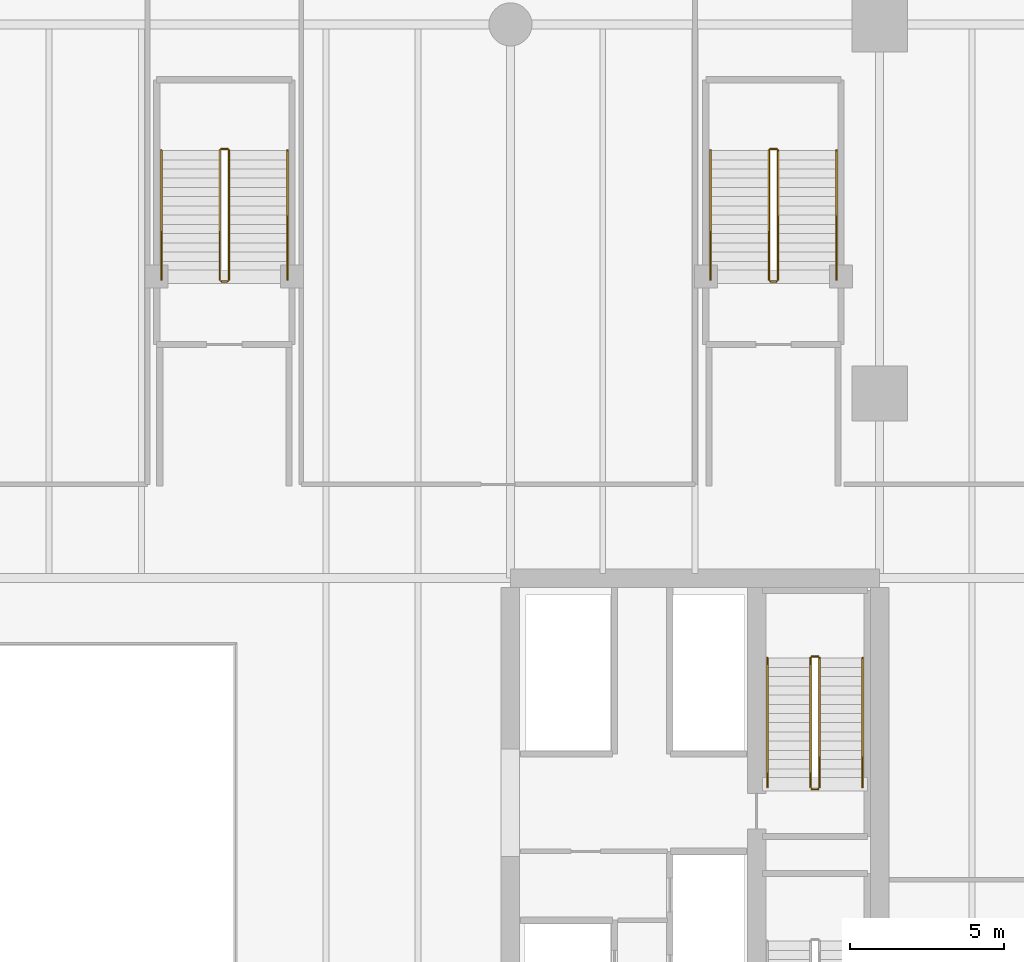
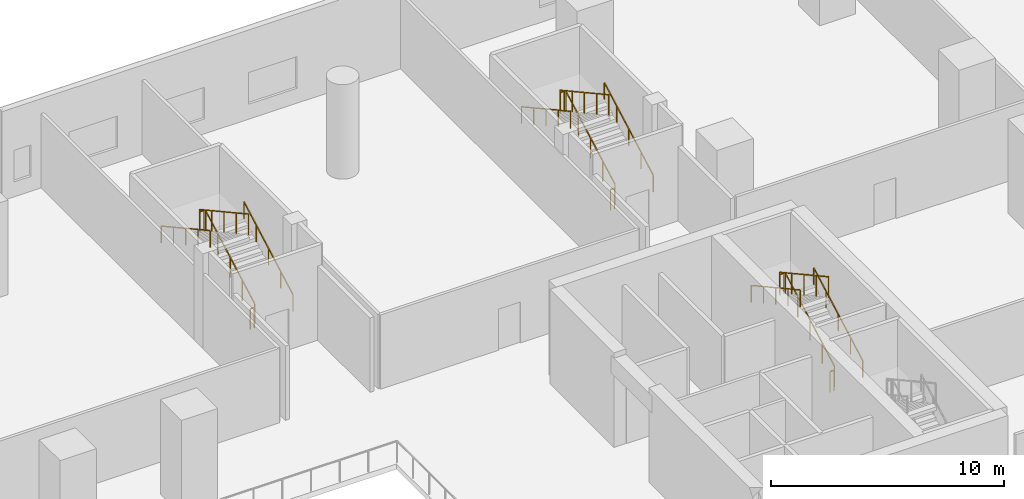
# One storey, part 23 of 24: 18 railings.
"""IFC4 building model written with IfcOpenShell, lengths in metres."""

from ifc_helpers import new_model, si_unit, direction, frame, origin, place, context, subcontext, project, spatial, rectangle, extrude, material, type_object, element, save


model = new_model("IFC4")

# Units and contexts
model_context = context("Model", 3, precision=1e-05, world=origin(), true_north=direction((0.0, 1.0)))
body_context = subcontext(model_context, "Body", "Model", "MODEL_VIEW")
ifc_project = project(units=[si_unit("LENGTHUNIT", "METRE"), si_unit("AREAUNIT", "SQUARE_METRE"), si_unit("VOLUMEUNIT", "CUBIC_METRE"), si_unit("PLANEANGLEUNIT", "RADIAN"), si_unit("MASSUNIT", "GRAM", prefix="KILO")], contexts=[model_context])

# Site, building, storey
site_placement = place(None, origin())
site = spatial("IfcSite", under=ifc_project, at=site_placement, CompositionType="ELEMENT")
building_placement = place(site_placement, origin())
building = spatial("IfcBuilding", under=site, at=building_placement, Name="Tanjung Sevakor Pilgrim Tower", CompositionType="ELEMENT")
storey_placement = place(building_placement, frame((0.0, 0.0, 4.949951171875)))
storey = spatial("IfcBuildingStorey", under=building, at=storey_placement, Name="L02", CompositionType="ELEMENT", Elevation=4.949951171875)

# Railings
ifc_material_1 = material(Name="Steel S355J2", Category="steel")
railing_type_1 = type_object("IfcRailingType", Name="RL-STAIR-GUARD", PredefinedType="GUARDRAIL", material=ifc_material_1)
railing_1_placement = place(storey_placement, frame((88.050048828125, 35.800048828125, 0.1650390625)))
element("IfcRailing", 1, at=railing_1_placement, inside=storey, type_object=railing_type_1, Name="L02 TS-E2 stair guard 1", PredefinedType="GUARDRAIL", context=body_context, shape_type="SweptSolid", body=[
    extrude(rectangle(XDim=0.0479, YDim=0.0479), frame((0.0, 0.0, 1.076171875), z_axis=(0.0, 0.876208380975, 0.481932436249), x_axis=(-1.0, 0.0, 0.0)), (0.0, 0.0, 1.0), 4.793212890625),
    extrude(rectangle(XDim=0.042, YDim=0.042), origin(), (0.0, 0.0, 1.0), 1.052001953125),
    extrude(rectangle(XDim=0.042, YDim=0.042), frame((0.0, 1.050048828125, 0.57763671875)), (0.0, 0.0, 1.0), 1.052001953125),
    extrude(rectangle(XDim=0.042, YDim=0.042), frame((0.0, 2.10009765625, 1.155029296875)), (0.0, 0.0, 1.0), 1.052001953125),
    extrude(rectangle(XDim=0.042, YDim=0.042), frame((0.0, 3.14990234375, 1.732421875)), (0.0, 0.0, 1.0), 1.052001953125),
    extrude(rectangle(XDim=0.042, YDim=0.042), frame((0.0, 4.199951171875, 2.31005859375)), (0.0, 0.0, 1.0), 1.052001953125),
])
railing_2_placement = place(storey_placement, frame((88.0, 40.050048828125, 2.47509765625)))
element("IfcRailing", 2, at=railing_2_placement, inside=storey, type_object=railing_type_1, Name="L02 TS-E2 stair guard 2", PredefinedType="GUARDRAIL", context=body_context, shape_type="SweptSolid", body=[
    extrude(rectangle(XDim=0.0479, YDim=0.0479), frame((0.0, 0.0, 1.076171875), z_axis=(-1.0, 0.0, 0.0), x_axis=(0.0, -1.0, 0.0)), (0.0, 0.0, 1.0), 0.199951171875),
    extrude(rectangle(XDim=0.042, YDim=0.042), origin(), (0.0, 0.0, 1.0), 1.052001953125),
    extrude(rectangle(XDim=0.042, YDim=0.042), frame((-0.199951171875, 0.0, 0.0)), (0.0, 0.0, 1.0), 1.052001953125),
])
railing_3_placement = place(storey_placement, frame((87.75, 40.0, 2.64013671875)))
element("IfcRailing", 3, at=railing_3_placement, inside=storey, type_object=railing_type_1, Name="L02 TS-E2 stair guard 3", PredefinedType="GUARDRAIL", context=body_context, shape_type="SweptSolid", body=[
    extrude(rectangle(XDim=0.0479, YDim=0.0479), frame((0.0, 0.0, 1.076171875), z_axis=(0.0, -0.876229888469, 0.481893331094), x_axis=(1.0, 0.0, 0.0)), (0.0, 0.0, 1.0), 4.793212890625),
    extrude(rectangle(XDim=0.042, YDim=0.042), origin(), (0.0, 0.0, 1.0), 1.052001953125),
    extrude(rectangle(XDim=0.042, YDim=0.042), frame((0.0, -1.050048828125, 0.577392578125)), (0.0, 0.0, 1.0), 1.052001953125),
    extrude(rectangle(XDim=0.042, YDim=0.042), frame((0.0, -2.10009765625, 1.15478515625)), (0.0, 0.0, 1.0), 1.052001953125),
    extrude(rectangle(XDim=0.042, YDim=0.042), frame((0.0, -3.14990234375, 1.732421875)), (0.0, 0.0, 1.0), 1.052001953125),
    extrude(rectangle(XDim=0.042, YDim=0.042), frame((0.0, -4.199951171875, 2.309814453125)), (0.0, 0.0, 1.0), 1.052001953125),
])
railing_4_placement = place(storey_placement, frame((88.0, 35.75, 0.0)))
element("IfcRailing", 4, at=railing_4_placement, inside=storey, type_object=railing_type_1, Name="L02 TS-E2 stair guard 4", PredefinedType="GUARDRAIL", context=body_context, shape_type="SweptSolid", body=[
    extrude(rectangle(XDim=0.0479, YDim=0.0479), frame((0.0, 0.0, 1.076171875), z_axis=(-1.0, 0.0, 0.0), x_axis=(0.0, -1.0, 0.0)), (0.0, 0.0, 1.0), 0.199951171875),
    extrude(rectangle(XDim=0.042, YDim=0.042), origin(), (0.0, 0.0, 1.0), 1.052001953125),
    extrude(rectangle(XDim=0.042, YDim=0.042), frame((-0.199951171875, 0.0, 0.0)), (0.0, 0.0, 1.0), 1.052001953125),
])
railing_5_placement = place(storey_placement, frame((68.85009765625, 52.300048828125, 0.1650390625)))
element("IfcRailing", 5, at=railing_5_placement, inside=storey, type_object=railing_type_1, Name="L02 PS-4 stair guard 1", PredefinedType="GUARDRAIL", context=body_context, shape_type="SweptSolid", body=[
    extrude(rectangle(XDim=0.0479, YDim=0.0479), frame((0.0, 0.0, 1.076171875), z_axis=(0.0, 0.876208380975, 0.481932436249), x_axis=(-1.0, 0.0, 0.0)), (0.0, 0.0, 1.0), 4.793212890625),
    extrude(rectangle(XDim=0.042, YDim=0.042), origin(), (0.0, 0.0, 1.0), 1.052001953125),
    extrude(rectangle(XDim=0.042, YDim=0.042), frame((0.0, 1.050048828125, 0.57763671875)), (0.0, 0.0, 1.0), 1.052001953125),
    extrude(rectangle(XDim=0.042, YDim=0.042), frame((0.0, 2.10009765625, 1.155029296875)), (0.0, 0.0, 1.0), 1.052001953125),
    extrude(rectangle(XDim=0.042, YDim=0.042), frame((0.0, 3.14990234375, 1.732421875)), (0.0, 0.0, 1.0), 1.052001953125),
    extrude(rectangle(XDim=0.042, YDim=0.042), frame((0.0, 4.199951171875, 2.31005859375)), (0.0, 0.0, 1.0), 1.052001953125),
])
railing_6_placement = place(storey_placement, frame((68.800048828125, 56.550048828125, 2.47509765625)))
element("IfcRailing", 6, at=railing_6_placement, inside=storey, type_object=railing_type_1, Name="L02 PS-4 stair guard 2", PredefinedType="GUARDRAIL", context=body_context, shape_type="SweptSolid", body=[
    extrude(rectangle(XDim=0.0479, YDim=0.0479), frame((0.0, 0.0, 1.076171875), z_axis=(-1.0, 0.0, 0.0), x_axis=(0.0, -1.0, 0.0)), (0.0, 0.0, 1.0), 0.199951171875),
    extrude(rectangle(XDim=0.042, YDim=0.042), origin(), (0.0, 0.0, 1.0), 1.052001953125),
    extrude(rectangle(XDim=0.042, YDim=0.042), frame((-0.199951171875, 0.0, 0.0)), (0.0, 0.0, 1.0), 1.052001953125),
])
railing_7_placement = place(storey_placement, frame((68.550048828125, 56.5, 2.64013671875)))
element("IfcRailing", 7, at=railing_7_placement, inside=storey, type_object=railing_type_1, Name="L02 PS-4 stair guard 3", PredefinedType="GUARDRAIL", context=body_context, shape_type="SweptSolid", body=[
    extrude(rectangle(XDim=0.0479, YDim=0.0479), frame((0.0, 0.0, 1.076171875), z_axis=(0.0, -0.876229888469, 0.481893331094), x_axis=(1.0, 0.0, 0.0)), (0.0, 0.0, 1.0), 4.793212890625),
    extrude(rectangle(XDim=0.042, YDim=0.042), origin(), (0.0, 0.0, 1.0), 1.052001953125),
    extrude(rectangle(XDim=0.042, YDim=0.042), frame((0.0, -1.050048828125, 0.577392578125)), (0.0, 0.0, 1.0), 1.052001953125),
    extrude(rectangle(XDim=0.042, YDim=0.042), frame((0.0, -2.10009765625, 1.15478515625)), (0.0, 0.0, 1.0), 1.052001953125),
    extrude(rectangle(XDim=0.042, YDim=0.042), frame((0.0, -3.14990234375, 1.732421875)), (0.0, 0.0, 1.0), 1.052001953125),
    extrude(rectangle(XDim=0.042, YDim=0.042), frame((0.0, -4.199951171875, 2.309814453125)), (0.0, 0.0, 1.0), 1.052001953125),
])
railing_8_placement = place(storey_placement, frame((68.800048828125, 52.25, 0.0)))
element("IfcRailing", 8, at=railing_8_placement, inside=storey, type_object=railing_type_1, Name="L02 PS-4 stair guard 4", PredefinedType="GUARDRAIL", context=body_context, shape_type="SweptSolid", body=[
    extrude(rectangle(XDim=0.0479, YDim=0.0479), frame((0.0, 0.0, 1.076171875), z_axis=(-1.0, 0.0, 0.0), x_axis=(0.0, -1.0, 0.0)), (0.0, 0.0, 1.0), 0.199951171875),
    extrude(rectangle(XDim=0.042, YDim=0.042), origin(), (0.0, 0.0, 1.0), 1.052001953125),
    extrude(rectangle(XDim=0.042, YDim=0.042), frame((-0.199951171875, 0.0, 0.0)), (0.0, 0.0, 1.0), 1.052001953125),
])
railing_9_placement = place(storey_placement, frame((86.699951171875, 52.300048828125, 0.1650390625)))
element("IfcRailing", 9, at=railing_9_placement, inside=storey, type_object=railing_type_1, Name="L02 PS-6 stair guard 1", PredefinedType="GUARDRAIL", context=body_context, shape_type="SweptSolid", body=[
    extrude(rectangle(XDim=0.0479, YDim=0.0479), frame((0.0, 0.0, 1.076171875), z_axis=(0.0, 0.876208380975, 0.481932436249), x_axis=(-1.0, 0.0, 0.0)), (0.0, 0.0, 1.0), 4.793212890625),
    extrude(rectangle(XDim=0.042, YDim=0.042), origin(), (0.0, 0.0, 1.0), 1.052001953125),
    extrude(rectangle(XDim=0.042, YDim=0.042), frame((0.0, 1.050048828125, 0.57763671875)), (0.0, 0.0, 1.0), 1.052001953125),
    extrude(rectangle(XDim=0.042, YDim=0.042), frame((0.0, 2.10009765625, 1.155029296875)), (0.0, 0.0, 1.0), 1.052001953125),
    extrude(rectangle(XDim=0.042, YDim=0.042), frame((0.0, 3.14990234375, 1.732421875)), (0.0, 0.0, 1.0), 1.052001953125),
    extrude(rectangle(XDim=0.042, YDim=0.042), frame((0.0, 4.199951171875, 2.31005859375)), (0.0, 0.0, 1.0), 1.052001953125),
])
railing_10_placement = place(storey_placement, frame((86.64990234375, 56.550048828125, 2.47509765625)))
element("IfcRailing", 10, at=railing_10_placement, inside=storey, type_object=railing_type_1, Name="L02 PS-6 stair guard 2", PredefinedType="GUARDRAIL", context=body_context, shape_type="SweptSolid", body=[
    extrude(rectangle(XDim=0.0479, YDim=0.0479), frame((0.0, 0.0, 1.076171875), z_axis=(-1.0, 0.0, 0.0), x_axis=(0.0, -1.0, 0.0)), (0.0, 0.0, 1.0), 0.199951171875),
    extrude(rectangle(XDim=0.042, YDim=0.042), origin(), (0.0, 0.0, 1.0), 1.052001953125),
    extrude(rectangle(XDim=0.042, YDim=0.042), frame((-0.199951171875, 0.0, 0.0)), (0.0, 0.0, 1.0), 1.052001953125),
])
railing_11_placement = place(storey_placement, frame((86.39990234375, 56.5, 2.64013671875)))
element("IfcRailing", 11, at=railing_11_placement, inside=storey, type_object=railing_type_1, Name="L02 PS-6 stair guard 3", PredefinedType="GUARDRAIL", context=body_context, shape_type="SweptSolid", body=[
    extrude(rectangle(XDim=0.0479, YDim=0.0479), frame((0.0, 0.0, 1.076171875), z_axis=(0.0, -0.876229888469, 0.481893331094), x_axis=(1.0, 0.0, 0.0)), (0.0, 0.0, 1.0), 4.793212890625),
    extrude(rectangle(XDim=0.042, YDim=0.042), origin(), (0.0, 0.0, 1.0), 1.052001953125),
    extrude(rectangle(XDim=0.042, YDim=0.042), frame((0.0, -1.050048828125, 0.577392578125)), (0.0, 0.0, 1.0), 1.052001953125),
    extrude(rectangle(XDim=0.042, YDim=0.042), frame((0.0, -2.10009765625, 1.15478515625)), (0.0, 0.0, 1.0), 1.052001953125),
    extrude(rectangle(XDim=0.042, YDim=0.042), frame((0.0, -3.14990234375, 1.732421875)), (0.0, 0.0, 1.0), 1.052001953125),
    extrude(rectangle(XDim=0.042, YDim=0.042), frame((0.0, -4.199951171875, 2.309814453125)), (0.0, 0.0, 1.0), 1.052001953125),
])
railing_12_placement = place(storey_placement, frame((86.64990234375, 52.25, 0.0)))
element("IfcRailing", 12, at=railing_12_placement, inside=storey, type_object=railing_type_1, Name="L02 PS-6 stair guard 4", PredefinedType="GUARDRAIL", context=body_context, shape_type="SweptSolid", body=[
    extrude(rectangle(XDim=0.0479, YDim=0.0479), frame((0.0, 0.0, 1.076171875), z_axis=(-1.0, 0.0, 0.0), x_axis=(0.0, -1.0, 0.0)), (0.0, 0.0, 1.0), 0.199951171875),
    extrude(rectangle(XDim=0.042, YDim=0.042), origin(), (0.0, 0.0, 1.0), 1.052001953125),
    extrude(rectangle(XDim=0.042, YDim=0.042), frame((-0.199951171875, 0.0, 0.0)), (0.0, 0.0, 1.0), 1.052001953125),
])
ifc_material_2 = material(Name="Steel S355J2", Category="steel")
railing_type_2 = type_object("IfcRailingType", Name="RL-STAIR-HAND", PredefinedType="HANDRAIL", material=ifc_material_2)
railing_13_placement = place(storey_placement, frame((89.449951171875, 35.800048828125, 0.1650390625)))
element("IfcRailing", 13, at=railing_13_placement, inside=storey, type_object=railing_type_2, Name="L02 TS-E2 stair handrail 1", PredefinedType="HANDRAIL", context=body_context, shape_type="SweptSolid", body=[
    extrude(rectangle(XDim=0.0479, YDim=0.0479), frame((0.0, 0.0, 0.8759765625), z_axis=(0.0, 0.876208380975, 0.481932436249), x_axis=(-1.0, 0.0, 0.0)), (0.0, 0.0, 1.0), 4.793212890625),
    extrude(rectangle(XDim=0.042, YDim=0.042), origin(), (0.0, 0.0, 1.0), 0.851806640625),
    extrude(rectangle(XDim=0.042, YDim=0.042), frame((0.0, 1.050048828125, 0.57763671875)), (0.0, 0.0, 1.0), 0.851806640625),
    extrude(rectangle(XDim=0.042, YDim=0.042), frame((0.0, 2.10009765625, 1.155029296875)), (0.0, 0.0, 1.0), 0.851806640625),
    extrude(rectangle(XDim=0.042, YDim=0.042), frame((0.0, 3.14990234375, 1.732421875)), (0.0, 0.0, 1.0), 0.851806640625),
    extrude(rectangle(XDim=0.042, YDim=0.042), frame((0.0, 4.199951171875, 2.31005859375)), (0.0, 0.0, 1.0), 0.851806640625),
])
railing_14_placement = place(storey_placement, frame((86.35009765625, 40.0, 2.64013671875)))
element("IfcRailing", 14, at=railing_14_placement, inside=storey, type_object=railing_type_2, Name="L02 TS-E2 stair handrail 2", PredefinedType="HANDRAIL", context=body_context, shape_type="SweptSolid", body=[
    extrude(rectangle(XDim=0.0479, YDim=0.0479), frame((0.0, 0.0, 0.8759765625), z_axis=(0.0, -0.876229888469, 0.481893331094), x_axis=(1.0, 0.0, 0.0)), (0.0, 0.0, 1.0), 4.793212890625),
    extrude(rectangle(XDim=0.042, YDim=0.042), origin(), (0.0, 0.0, 1.0), 0.851806640625),
    extrude(rectangle(XDim=0.042, YDim=0.042), frame((0.0, -1.050048828125, 0.577392578125)), (0.0, 0.0, 1.0), 0.851806640625),
    extrude(rectangle(XDim=0.042, YDim=0.042), frame((0.0, -2.10009765625, 1.15478515625)), (0.0, 0.0, 1.0), 0.851806640625),
    extrude(rectangle(XDim=0.042, YDim=0.042), frame((0.0, -3.14990234375, 1.732421875)), (0.0, 0.0, 1.0), 0.851806640625),
    extrude(rectangle(XDim=0.042, YDim=0.042), frame((0.0, -4.199951171875, 2.309814453125)), (0.0, 0.0, 1.0), 0.851806640625),
])
railing_15_placement = place(storey_placement, frame((70.75, 52.300048828125, 0.1650390625)))
element("IfcRailing", 15, at=railing_15_placement, inside=storey, type_object=railing_type_2, Name="L02 PS-4 stair handrail 1", PredefinedType="HANDRAIL", context=body_context, shape_type="SweptSolid", body=[
    extrude(rectangle(XDim=0.0479, YDim=0.0479), frame((0.0, 0.0, 0.8759765625), z_axis=(0.0, 0.876208380975, 0.481932436249), x_axis=(-1.0, 0.0, 0.0)), (0.0, 0.0, 1.0), 4.793212890625),
    extrude(rectangle(XDim=0.042, YDim=0.042), origin(), (0.0, 0.0, 1.0), 0.851806640625),
    extrude(rectangle(XDim=0.042, YDim=0.042), frame((0.0, 1.050048828125, 0.57763671875)), (0.0, 0.0, 1.0), 0.851806640625),
    extrude(rectangle(XDim=0.042, YDim=0.042), frame((0.0, 2.10009765625, 1.155029296875)), (0.0, 0.0, 1.0), 0.851806640625),
    extrude(rectangle(XDim=0.042, YDim=0.042), frame((0.0, 3.14990234375, 1.732421875)), (0.0, 0.0, 1.0), 0.851806640625),
    extrude(rectangle(XDim=0.042, YDim=0.042), frame((0.0, 4.199951171875, 2.31005859375)), (0.0, 0.0, 1.0), 0.851806640625),
])
railing_16_placement = place(storey_placement, frame((66.64990234375, 56.5, 2.64013671875)))
element("IfcRailing", 16, at=railing_16_placement, inside=storey, type_object=railing_type_2, Name="L02 PS-4 stair handrail 2", PredefinedType="HANDRAIL", context=body_context, shape_type="SweptSolid", body=[
    extrude(rectangle(XDim=0.0479, YDim=0.0479), frame((0.0, 0.0, 0.8759765625), z_axis=(0.0, -0.876229888469, 0.481893331094), x_axis=(1.0, 0.0, 0.0)), (0.0, 0.0, 1.0), 4.793212890625),
    extrude(rectangle(XDim=0.042, YDim=0.042), origin(), (0.0, 0.0, 1.0), 0.851806640625),
    extrude(rectangle(XDim=0.042, YDim=0.042), frame((0.0, -1.050048828125, 0.577392578125)), (0.0, 0.0, 1.0), 0.851806640625),
    extrude(rectangle(XDim=0.042, YDim=0.042), frame((0.0, -2.10009765625, 1.15478515625)), (0.0, 0.0, 1.0), 0.851806640625),
    extrude(rectangle(XDim=0.042, YDim=0.042), frame((0.0, -3.14990234375, 1.732421875)), (0.0, 0.0, 1.0), 0.851806640625),
    extrude(rectangle(XDim=0.042, YDim=0.042), frame((0.0, -4.199951171875, 2.309814453125)), (0.0, 0.0, 1.0), 0.851806640625),
])
railing_17_placement = place(storey_placement, frame((88.60009765625, 52.300048828125, 0.1650390625)))
element("IfcRailing", 17, at=railing_17_placement, inside=storey, type_object=railing_type_2, Name="L02 PS-6 stair handrail 1", PredefinedType="HANDRAIL", context=body_context, shape_type="SweptSolid", body=[
    extrude(rectangle(XDim=0.0479, YDim=0.0479), frame((0.0, 0.0, 0.8759765625), z_axis=(0.0, 0.876208380975, 0.481932436249), x_axis=(-1.0, 0.0, 0.0)), (0.0, 0.0, 1.0), 4.793212890625),
    extrude(rectangle(XDim=0.042, YDim=0.042), origin(), (0.0, 0.0, 1.0), 0.851806640625),
    extrude(rectangle(XDim=0.042, YDim=0.042), frame((0.0, 1.050048828125, 0.57763671875)), (0.0, 0.0, 1.0), 0.851806640625),
    extrude(rectangle(XDim=0.042, YDim=0.042), frame((0.0, 2.10009765625, 1.155029296875)), (0.0, 0.0, 1.0), 0.851806640625),
    extrude(rectangle(XDim=0.042, YDim=0.042), frame((0.0, 3.14990234375, 1.732421875)), (0.0, 0.0, 1.0), 0.851806640625),
    extrude(rectangle(XDim=0.042, YDim=0.042), frame((0.0, 4.199951171875, 2.31005859375)), (0.0, 0.0, 1.0), 0.851806640625),
])
railing_18_placement = place(storey_placement, frame((84.5, 56.5, 2.64013671875)))
element("IfcRailing", 18, at=railing_18_placement, inside=storey, type_object=railing_type_2, Name="L02 PS-6 stair handrail 2", PredefinedType="HANDRAIL", context=body_context, shape_type="SweptSolid", body=[
    extrude(rectangle(XDim=0.0479, YDim=0.0479), frame((0.0, 0.0, 0.8759765625), z_axis=(0.0, -0.876229888469, 0.481893331094), x_axis=(1.0, 0.0, 0.0)), (0.0, 0.0, 1.0), 4.793212890625),
    extrude(rectangle(XDim=0.042, YDim=0.042), origin(), (0.0, 0.0, 1.0), 0.851806640625),
    extrude(rectangle(XDim=0.042, YDim=0.042), frame((0.0, -1.050048828125, 0.577392578125)), (0.0, 0.0, 1.0), 0.851806640625),
    extrude(rectangle(XDim=0.042, YDim=0.042), frame((0.0, -2.10009765625, 1.15478515625)), (0.0, 0.0, 1.0), 0.851806640625),
    extrude(rectangle(XDim=0.042, YDim=0.042), frame((0.0, -3.14990234375, 1.732421875)), (0.0, 0.0, 1.0), 0.851806640625),
    extrude(rectangle(XDim=0.042, YDim=0.042), frame((0.0, -4.199951171875, 2.309814453125)), (0.0, 0.0, 1.0), 0.851806640625),
])

save(model, "model.ifc")
